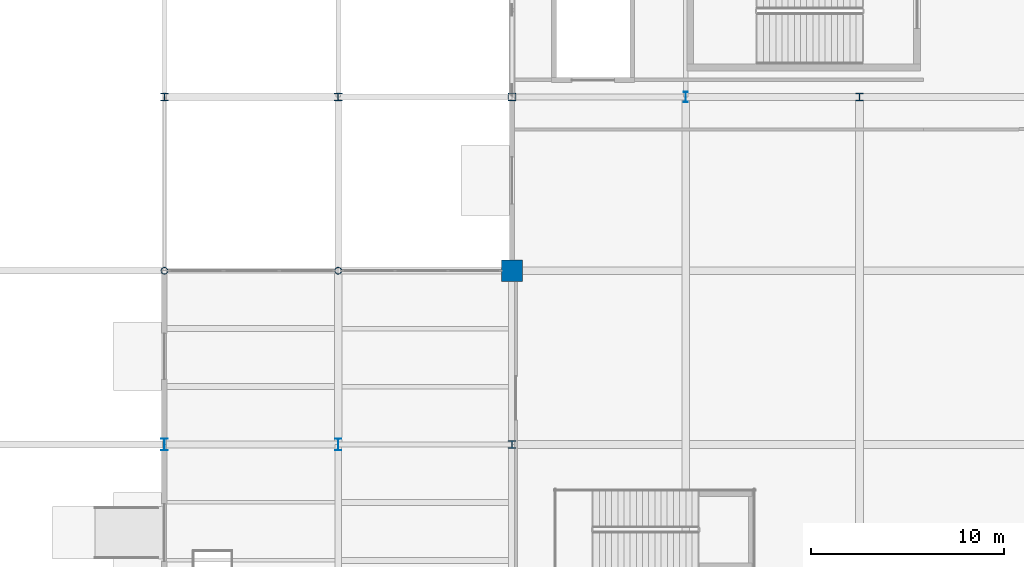
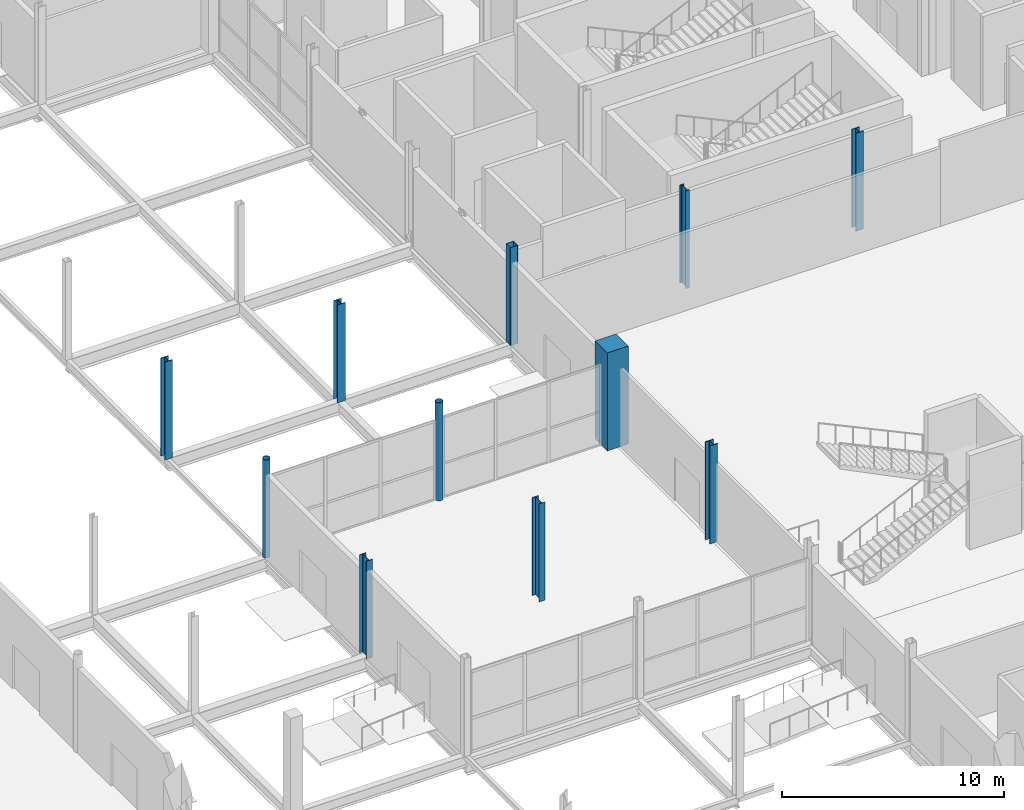
# One storey, part 15 of 94: 11 columns.
"""IFC4 building model written with IfcOpenShell, lengths in metres."""

from ifc_helpers import new_model, si_unit, direction, frame, origin, origin_2d, place, context, subcontext, project, spatial, rectangle, hollow_rectangle, hollow_circle, i_section, extrude, material, material_profile, profile_set, type_object, element, save


model = new_model("IFC4")

# Units and contexts
model_context = context("Model", 3, precision=1e-05, world=origin(), true_north=direction((0.0, 1.0)))
body_context = subcontext(model_context, "Body", "Model", "MODEL_VIEW")
ifc_project = project(units=[si_unit("LENGTHUNIT", "METRE"), si_unit("AREAUNIT", "SQUARE_METRE"), si_unit("VOLUMEUNIT", "CUBIC_METRE"), si_unit("PLANEANGLEUNIT", "RADIAN"), si_unit("MASSUNIT", "GRAM", prefix="KILO")], contexts=[model_context])

# Site, building, storey
site_placement = place(None, origin())
site = spatial("IfcSite", under=ifc_project, at=site_placement, CompositionType="ELEMENT")
building_placement = place(site_placement, origin())
building = spatial("IfcBuilding", under=site, at=building_placement, Name="Qamarlyn Nura Convention Centre", CompositionType="ELEMENT")
storey_placement = place(building_placement, origin())
storey = spatial("IfcBuildingStorey", under=building, at=storey_placement, Name="L00", CompositionType="ELEMENT", Elevation=0.0)

# Columns
ifc_material_1 = material(Name="Steel ASTM A500 Grade C", Category="steel")
ifc_material_profile_1 = material_profile(ifc_material_1, hollow_rectangle(XDim=0.39990234375, YDim=0.39990234375, WallThickness=0.01611328125, InnerFilletRadius=0.01611328125, OuterFilletRadius=0.031982421875, at=origin_2d()), Name="HSS400X400X16")
ifc_profile_set_1 = profile_set([ifc_material_profile_1], Name="Steel ASTM A500 Grade C")
column_type_1 = type_object("IfcColumnType", Name="COL-HSS-1", PredefinedType="COLUMN", material=ifc_profile_set_1)
column_1_placement = place(storey_placement, frame((153.0, 54.0, 0.0), z_axis=(0.0, 0.0, 1.0), x_axis=(1.0, 0.0, 0.0)))
element("IfcColumn", 1, at=column_1_placement, inside=storey, type_object=column_type_1, Name="L00 column 13/G", PredefinedType="COLUMN", context=body_context, shape_type="SweptSolid", body=[
    extrude(hollow_rectangle(XDim=0.39990234375, YDim=0.39990234375, WallThickness=0.01611328125, InnerFilletRadius=0.01611328125, OuterFilletRadius=0.031982421875, at=origin_2d()), origin(), (0.0, 0.0, 1.0), 5.39990234375),
])
ifc_material_2 = material(Name="Steel ASTM A992", Category="steel")
ifc_material_profile_2 = material_profile(ifc_material_2, i_section(OverallWidth=0.408935546875, OverallDepth=0.425048828125, WebThickness=0.030517578125, FlangeThickness=0.049072265625, FilletRadius=0.02001953125, at=origin_2d()), Name="W360X421")
ifc_profile_set_2 = profile_set([ifc_material_profile_2], Name="Steel ASTM A992")
column_type_2 = type_object("IfcColumnType", Name="COL-MEGA-1", PredefinedType="COLUMN", material=ifc_profile_set_2)
column_2_placement = place(storey_placement, frame((153.0, 36.0, 0.0), z_axis=(0.0, 0.0, 1.0), x_axis=(1.0, 0.0, 0.0)))
element("IfcColumn", 2, at=column_2_placement, inside=storey, type_object=column_type_2, Name="L00 column 13/E", PredefinedType="COLUMN", context=body_context, shape_type="SweptSolid", body=[
    extrude(i_section(OverallWidth=0.408935546875, OverallDepth=0.425048828125, WebThickness=0.030517578125, FlangeThickness=0.049072265625, FilletRadius=0.02001953125, at=origin_2d()), origin(), (0.0, 0.0, 1.0), 5.39990234375),
])
ifc_material_3 = material(Name="Concrete C50/60", Category="concrete")
ifc_material_profile_3 = material_profile(ifc_material_3, rectangle(XDim=1.10009765625, YDim=1.10009765625, at=origin_2d()), Name="RC 1100x1100")
ifc_profile_set_3 = profile_set([ifc_material_profile_3], Name="Concrete C50/60")
column_type_3 = type_object("IfcColumnType", Name="COL-MEGA-2", PredefinedType="COLUMN", material=ifc_profile_set_3)
column_3_placement = place(storey_placement, frame((153.0, 45.0, 0.0), z_axis=(0.0, 0.0, 1.0), x_axis=(1.0, 0.0, 0.0)))
element("IfcColumn", 3, at=column_3_placement, inside=storey, type_object=column_type_3, Name="L00 column 13/F", PredefinedType="COLUMN", context=body_context, shape_type="SweptSolid", body=[
    extrude(rectangle(XDim=1.10009765625, YDim=1.10009765625, at=origin_2d()), origin(), (0.0, 0.0, 1.0), 5.39990234375),
])
ifc_material_4 = material(Name="Pearl-white PVDF steel ASTM A500 Grade C", Category="steel")
ifc_material_profile_4 = material_profile(ifc_material_4, hollow_circle(Radius=0.177734375, WallThickness=0.01611328125, at=origin_2d()), Name="CHS355.6X16")
ifc_profile_set_4 = profile_set([ifc_material_profile_4], Name="Pearl-white PVDF steel ASTM A500 Grade C")
column_type_4 = type_object("IfcColumnType", Name="COL-TUBE-2", PredefinedType="COLUMN", material=ifc_profile_set_4)
for number, where, z_axis, x_axis, name in (
    (4, (135.0, 45.0, 0.0), (0.0, 0.0, 1.0), (1.0, 0.0, 0.0), "L00 column 11/F"),
    (5, (144.0, 45.0, 0.0), (0.0, 0.0, 1.0), (1.0, 0.0, 0.0), "L00 column 12/F"),
):
    element("IfcColumn", number, at=place(storey_placement, frame(where, z_axis=z_axis, x_axis=x_axis)), inside=storey, type_object=column_type_4, Name=name, PredefinedType="COLUMN", context=body_context, shape_type="SweptSolid", body=[
        extrude(hollow_circle(Radius=0.177734375, WallThickness=0.01611328125, at=origin_2d()), origin(), (0.0, 0.0, 1.0), 5.39990234375),
    ])
ifc_material_profile_5 = material_profile(ifc_material_2, i_section(OverallWidth=0.39892578125, OverallDepth=0.39306640625, WebThickness=0.022705078125, FlangeThickness=0.03662109375, FilletRadius=0.01806640625, at=origin_2d()), Name="W360X287")
ifc_profile_set_5 = profile_set([ifc_material_profile_5], Name="Steel ASTM A992")
column_type_5 = type_object("IfcColumnType", Name="COL-WING-1", PredefinedType="COLUMN", material=ifc_profile_set_5)
for number, where, z_axis, x_axis, name in (
    (6, (135.0, 54.0, 0.0), (0.0, 0.0, 1.0), (1.0, 0.0, 0.0), "L00 column 11/G"),
    (7, (144.0, 54.0, 0.0), (0.0, 0.0, 1.0), (1.0, 0.0, 0.0), "L00 column 12/G"),
    (8, (171.0, 54.0, 0.0), (0.0, 0.0, 1.0), (1.0, 0.0, 0.0), "L00 column 15/G"),
):
    element("IfcColumn", number, at=place(storey_placement, frame(where, z_axis=z_axis, x_axis=x_axis)), inside=storey, type_object=column_type_5, Name=name, PredefinedType="COLUMN", context=body_context, shape_type="SweptSolid", body=[
        extrude(i_section(OverallWidth=0.39892578125, OverallDepth=0.39306640625, WebThickness=0.022705078125, FlangeThickness=0.03662109375, FilletRadius=0.01806640625, at=origin_2d()), origin(), (0.0, 0.0, 1.0), 5.39990234375),
    ])
ifc_material_profile_6 = material_profile(ifc_material_2, i_section(OverallWidth=0.323974609375, OverallDepth=0.611083984375, WebThickness=0.0126953125, FlangeThickness=0.01904296875, FilletRadius=0.01611328125, at=origin_2d()), Name="W610X155")
ifc_profile_set_6 = profile_set([ifc_material_profile_6], Name="Steel ASTM A992")
column_type_6 = type_object("IfcColumnType", Name="COL-WING-6", PredefinedType="COLUMN", material=ifc_profile_set_6)
for number, where, z_axis, x_axis, name in (
    (9, (135.0, 36.0, 0.0), (0.0, 0.0, 1.0), (1.0, 0.0, 0.0), "L00 column 11/E"),
    (10, (144.0, 36.0, 0.0), (0.0, 0.0, 1.0), (1.0, 0.0, 0.0), "L00 column 12/E"),
):
    element("IfcColumn", number, at=place(storey_placement, frame(where, z_axis=z_axis, x_axis=x_axis)), inside=storey, type_object=column_type_6, Name=name, PredefinedType="COLUMN", context=body_context, shape_type="SweptSolid", body=[
        extrude(i_section(OverallWidth=0.323974609375, OverallDepth=0.611083984375, WebThickness=0.0126953125, FlangeThickness=0.01904296875, FilletRadius=0.01611328125, at=origin_2d()), origin(), (0.0, 0.0, 1.0), 5.39990234375),
    ])
ifc_material_profile_7 = material_profile(ifc_material_2, i_section(OverallWidth=0.2109375, OverallDepth=0.5390625, WebThickness=0.01171875, FlangeThickness=0.018798828125, FilletRadius=0.013916015625, at=origin_2d()), Name="W530X109")
ifc_profile_set_7 = profile_set([ifc_material_profile_7], Name="Steel ASTM A992")
column_type_7 = type_object("IfcColumnType", Name="COL-WING-7", PredefinedType="COLUMN", material=ifc_profile_set_7)
column_4_placement = place(storey_placement, frame((162.0, 54.0, 0.0), z_axis=(0.0, 0.0, 1.0), x_axis=(1.0, 0.0, 0.0)))
element("IfcColumn", 11, at=column_4_placement, inside=storey, type_object=column_type_7, Name="L00 column 14/G", PredefinedType="COLUMN", context=body_context, shape_type="SweptSolid", body=[
    extrude(i_section(OverallWidth=0.2109375, OverallDepth=0.5390625, WebThickness=0.01171875, FlangeThickness=0.018798828125, FilletRadius=0.013916015625, at=origin_2d()), origin(), (0.0, 0.0, 1.0), 5.39990234375),
])

save(model, "model.ifc")
